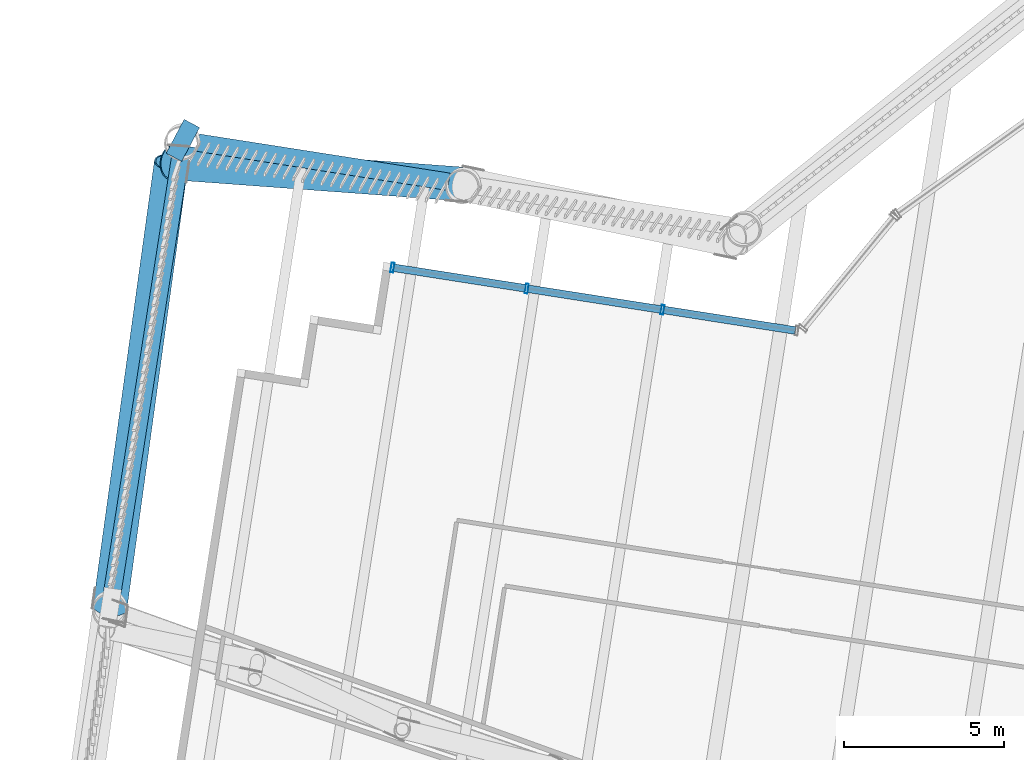
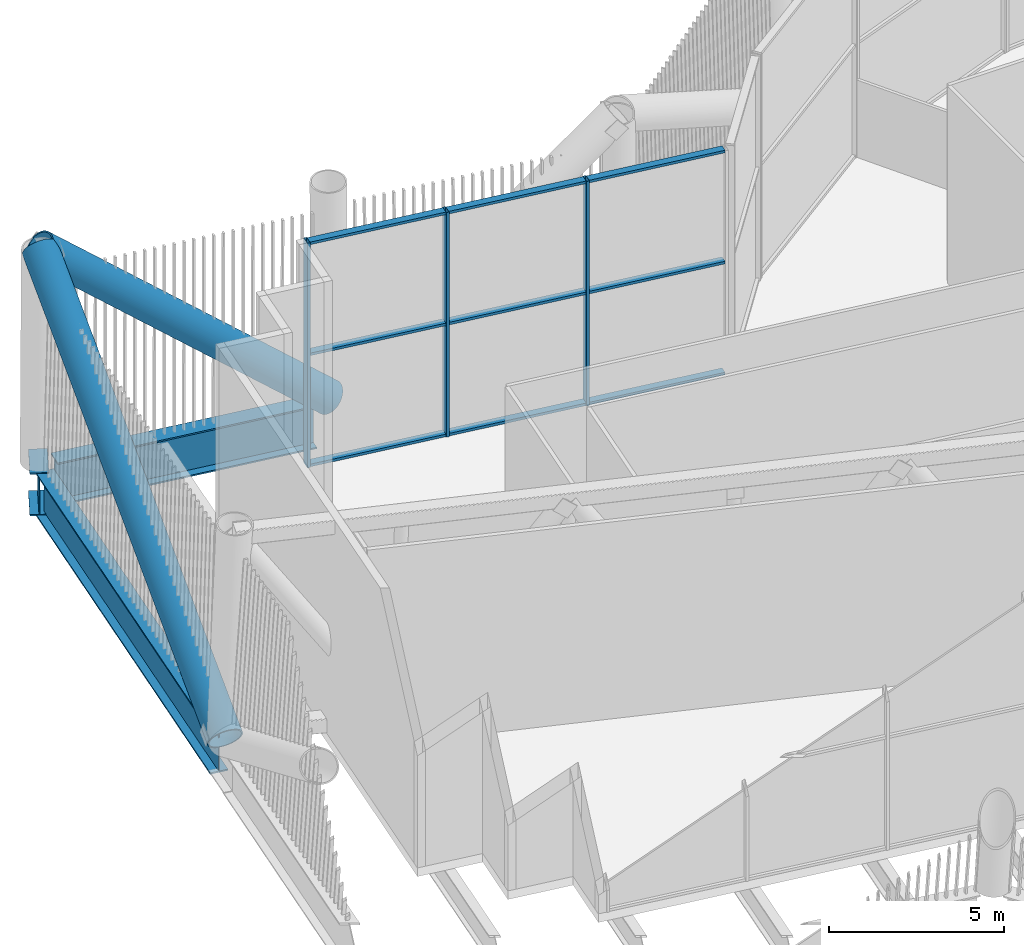
# One storey, part 21 of 55: 14 members, 3 beams, 1 element without a shape of its own.
"""IFC4 building model written with IfcOpenShell, lengths in metres."""

from ifc_helpers import new_model, si_unit, direction, frame, origin, origin_2d, place, context, subcontext, project, spatial, hollow_rectangle, hollow_circle, i_section, extrude, material, layer, layer_set, material_profile, profile_set, type_object, element, aggregate, save


model = new_model("IFC4")

# Units and contexts
model_context = context("Model", 3, precision=1e-05, world=origin(), true_north=direction((0.0, 1.0)))
body_context = subcontext(model_context, "Body", "Model", "MODEL_VIEW")
ifc_project = project(units=[si_unit("LENGTHUNIT", "METRE"), si_unit("AREAUNIT", "SQUARE_METRE"), si_unit("VOLUMEUNIT", "CUBIC_METRE"), si_unit("PLANEANGLEUNIT", "RADIAN"), si_unit("MASSUNIT", "GRAM", prefix="KILO")], contexts=[model_context])

# Site, building, storey
site_placement = place(None, origin())
site = spatial("IfcSite", under=ifc_project, at=site_placement, CompositionType="ELEMENT")
building_placement = place(site_placement, origin())
building = spatial("IfcBuilding", under=site, at=building_placement, Name="Tarsis Ring Headquarters", CompositionType="ELEMENT")
storey_placement = place(building_placement, frame((0.0, 0.0, 247.199951171875)))
storey = spatial("IfcBuildingStorey", under=building, at=storey_placement, Name="L58", CompositionType="ELEMENT", Elevation=247.199951171875)

# Curtain wall, members
ifc_material_1 = material(Name="Aluminium curtain wall", Category="aluminium")
ifc_layer = layer(ifc_material_1, 0.300048828125)
ifc_layer_set = layer_set([ifc_layer], Name="Curtain wall upper sky lobby")
curtain_wall_type = type_object("IfcCurtainWallType", Name="Curtain wall upper sky lobby", PredefinedType="NOTDEFINED", material=ifc_layer_set)
curtain_wall_placement = place(storey_placement, origin())
curtain_wall = element("IfcCurtainWall", 1, at=curtain_wall_placement, inside=storey, type_object=curtain_wall_type, Name="Curtain wall L58-31", PredefinedType="NOTDEFINED")
ifc_material_2 = material(Name="Aluminium mullion", Category="aluminium")
ifc_material_profile_1 = material_profile(ifc_material_2, hollow_rectangle(XDim=0.300048828125, YDim=0.090087890625, WallThickness=0.0048828125, at=origin_2d()), Name="RHS 300x90x5")
ifc_profile_set_1 = profile_set([ifc_material_profile_1], Name="Aluminium mullion")
member_type_1 = type_object("IfcMemberType", Name="Curtain wall mullion upper sky lobby RHS 300x90x5", PredefinedType="MULLION", material=ifc_profile_set_1)
member_1_placement = place(storey_placement, frame((-24.99072265625, 15.923583984375, 0.0), z_axis=(0.0, 0.0, 1.0), x_axis=(-0.154365535351, -0.988013806329, 0.0)))
member_1 = element("IfcMember", 2, at=member_1_placement, type_object=member_type_1, Name="CW-U mullion 2", PredefinedType="MULLION", context=body_context, shape_type="SweptSolid", body=[
    extrude(hollow_rectangle(XDim=0.300048828125, YDim=0.090087890625, WallThickness=0.0048828125, at=origin_2d()), origin(), (0.0, 0.0, 1.0), 7.840087890625),
])
member_2_placement = place(storey_placement, frame((-29.239501953125, 16.58740234375, 0.0), z_axis=(0.0, 0.0, 1.0), x_axis=(-0.154365535351, -0.988013806329, 0.0)))
member_2 = element("IfcMember", 3, at=member_2_placement, type_object=member_type_1, Name="CW-U mullion 3", PredefinedType="MULLION", context=body_context, shape_type="SweptSolid", body=[
    extrude(hollow_rectangle(XDim=0.300048828125, YDim=0.090087890625, WallThickness=0.0048828125, at=origin_2d()), origin(), (0.0, 0.0, 1.0), 7.840087890625),
])
member_3_placement = place(storey_placement, frame((-33.44384765625, 17.244384765625, 0.0), z_axis=(0.0, 0.0, 1.0), x_axis=(-0.154365535351, -0.988013806329, 0.0)))
member_3 = element("IfcMember", 4, at=member_3_placement, type_object=member_type_1, Name="CW-U mullion 4", PredefinedType="MULLION", context=body_context, shape_type="SweptSolid", body=[
    extrude(hollow_rectangle(XDim=0.300048828125, YDim=0.090087890625, WallThickness=0.0048828125, at=origin_2d()), origin(), (0.0, 0.0, 1.0), 7.840087890625),
])
ifc_material_3 = material(Name="Aluminium transom", Category="aluminium")
ifc_material_profile_2 = material_profile(ifc_material_3, hollow_rectangle(XDim=0.239990234375, YDim=0.090087890625, WallThickness=0.0048828125, at=origin_2d()), Name="RHS 240x90x5")
ifc_profile_set_2 = profile_set([ifc_material_profile_2], Name="Aluminium transom")
member_type_2 = type_object("IfcMemberType", Name="Curtain wall transom upper sky lobby RHS 240x90x5", PredefinedType="USERDEFINED", material=ifc_profile_set_2)
member_4_placement = place(storey_placement, frame((-20.83056640625, 15.273681640625, 0.045166015625), z_axis=(-0.988021529917, 0.154316092554, 0.0), x_axis=(-0.154316092554, -0.988021529917, 0.0)))
member_4 = element("IfcMember", 5, at=member_4_placement, type_object=member_type_2, Name="CW-U transom 1.1", ObjectType="TRANSOM", PredefinedType="USERDEFINED", context=body_context, shape_type="SweptSolid", body=[
    extrude(hollow_rectangle(XDim=0.239990234375, YDim=0.090087890625, WallThickness=0.0048828125, at=origin_2d()), origin(), (0.0, 0.0, 1.0), 4.16552734375),
])
member_5_placement = place(storey_placement, frame((-20.83056640625, 15.273681640625, 3.920166015625), z_axis=(-0.988021529917, 0.154316092554, 0.0), x_axis=(-0.154316092554, -0.988021529917, 0.0)))
member_5 = element("IfcMember", 6, at=member_5_placement, type_object=member_type_2, Name="CW-U transom 1.2", ObjectType="TRANSOM", PredefinedType="USERDEFINED", context=body_context, shape_type="SweptSolid", body=[
    extrude(hollow_rectangle(XDim=0.239990234375, YDim=0.090087890625, WallThickness=0.0048828125, at=origin_2d()), origin(), (0.0, 0.0, 1.0), 4.16552734375),
])
member_6_placement = place(storey_placement, frame((-20.83056640625, 15.273681640625, 7.795166015625), z_axis=(-0.988021529917, 0.154316092554, 0.0), x_axis=(-0.154316092554, -0.988021529917, 0.0)))
member_6 = element("IfcMember", 7, at=member_6_placement, type_object=member_type_2, Name="CW-U transom 1.3", ObjectType="TRANSOM", PredefinedType="USERDEFINED", context=body_context, shape_type="SweptSolid", body=[
    extrude(hollow_rectangle(XDim=0.239990234375, YDim=0.090087890625, WallThickness=0.0048828125, at=origin_2d()), origin(), (0.0, 0.0, 1.0), 4.16552734375),
])
member_7_placement = place(storey_placement, frame((-25.03515625, 15.930419921875, 0.045166015625), z_axis=(-0.988006229026, 0.154414025934, 0.0), x_axis=(-0.154414025934, -0.988006229026, 0.0)))
member_7 = element("IfcMember", 8, at=member_7_placement, type_object=member_type_2, Name="CW-U transom 2.1", ObjectType="TRANSOM", PredefinedType="USERDEFINED", context=body_context, shape_type="SweptSolid", body=[
    extrude(hollow_rectangle(XDim=0.239990234375, YDim=0.090087890625, WallThickness=0.0048828125, at=origin_2d()), origin(), (0.0, 0.0, 1.0), 4.21044921875),
])
member_8_placement = place(storey_placement, frame((-25.03515625, 15.930419921875, 3.920166015625), z_axis=(-0.988006229026, 0.154414025934, 0.0), x_axis=(-0.154414025934, -0.988006229026, 0.0)))
member_8 = element("IfcMember", 9, at=member_8_placement, type_object=member_type_2, Name="CW-U transom 2.2", ObjectType="TRANSOM", PredefinedType="USERDEFINED", context=body_context, shape_type="SweptSolid", body=[
    extrude(hollow_rectangle(XDim=0.239990234375, YDim=0.090087890625, WallThickness=0.0048828125, at=origin_2d()), origin(), (0.0, 0.0, 1.0), 4.21044921875),
])
member_9_placement = place(storey_placement, frame((-25.03515625, 15.930419921875, 7.795166015625), z_axis=(-0.988006229026, 0.154414025934, 0.0), x_axis=(-0.154414025934, -0.988006229026, 0.0)))
member_9 = element("IfcMember", 10, at=member_9_placement, type_object=member_type_2, Name="CW-U transom 2.3", ObjectType="TRANSOM", PredefinedType="USERDEFINED", context=body_context, shape_type="SweptSolid", body=[
    extrude(hollow_rectangle(XDim=0.239990234375, YDim=0.090087890625, WallThickness=0.0048828125, at=origin_2d()), origin(), (0.0, 0.0, 1.0), 4.21044921875),
])
member_10_placement = place(storey_placement, frame((-29.283935546875, 16.59423828125, 0.045166015625), z_axis=(-0.988011195634, 0.15438224413, 0.0), x_axis=(-0.15438224413, -0.988011195634, 0.0)))
member_10 = element("IfcMember", 11, at=member_10_placement, type_object=member_type_2, Name="CW-U transom 3.1", ObjectType="TRANSOM", PredefinedType="USERDEFINED", context=body_context, shape_type="SweptSolid", body=[
    extrude(hollow_rectangle(XDim=0.239990234375, YDim=0.090087890625, WallThickness=0.0048828125, at=origin_2d()), origin(), (0.0, 0.0, 1.0), 4.16552734375),
])
member_11_placement = place(storey_placement, frame((-29.283935546875, 16.59423828125, 3.920166015625), z_axis=(-0.988011195634, 0.15438224413, 0.0), x_axis=(-0.15438224413, -0.988011195634, 0.0)))
member_11 = element("IfcMember", 12, at=member_11_placement, type_object=member_type_2, Name="CW-U transom 3.2", ObjectType="TRANSOM", PredefinedType="USERDEFINED", context=body_context, shape_type="SweptSolid", body=[
    extrude(hollow_rectangle(XDim=0.239990234375, YDim=0.090087890625, WallThickness=0.0048828125, at=origin_2d()), origin(), (0.0, 0.0, 1.0), 4.16552734375),
])
member_12_placement = place(storey_placement, frame((-29.283935546875, 16.59423828125, 7.795166015625), z_axis=(-0.988011195634, 0.15438224413, 0.0), x_axis=(-0.15438224413, -0.988011195634, 0.0)))
member_12 = element("IfcMember", 13, at=member_12_placement, type_object=member_type_2, Name="CW-U transom 3.3", ObjectType="TRANSOM", PredefinedType="USERDEFINED", context=body_context, shape_type="SweptSolid", body=[
    extrude(hollow_rectangle(XDim=0.239990234375, YDim=0.090087890625, WallThickness=0.0048828125, at=origin_2d()), origin(), (0.0, 0.0, 1.0), 4.16552734375),
])
aggregate(curtain_wall, [member_1, member_2, member_3, member_4, member_5, member_6, member_7, member_8, member_9, member_10, member_11, member_12])

# Members
ifc_material_4 = material(Name="Structural steel S355", Category="steel")
ifc_material_profile_3 = material_profile(ifc_material_4, hollow_circle(Radius=0.533447265625, WallThickness=0.044921875, at=origin_2d()), Name="CHS 1067x45")
ifc_profile_set_3 = profile_set([ifc_material_profile_3], Name="Structural steel S355")
member_type_3 = type_object("IfcMemberType", Name="TD Belt truss diagonal CHS 1067x45", PredefinedType="BRACE", material=ifc_profile_set_3)
member_13_placement = place(storey_placement, frame((-31.206787109375, 19.855224609375, 0.0), z_axis=(-0.752034382032, 0.055241524478, 0.656804889001), x_axis=(-0.073258736685, -0.997312968681, 0.0)))
element("IfcMember", 14, at=member_13_placement, inside=storey, type_object=member_type_3, Name="Belt truss diagonal TD5", PredefinedType="BRACE", context=body_context, shape_type="SweptSolid", body=[
    extrude(hollow_circle(Radius=0.533447265625, WallThickness=0.044921875, at=origin_2d()), origin(), (0.0, 0.0, 1.0), 12.18017578125),
])
member_14_placement = place(storey_placement, frame((-42.287109375, 6.60693359375, 0.0), z_axis=(0.118759844139, 0.860895635983, 0.494726998823), x_axis=(-0.990618696479, 0.136655033523, 0.0)))
element("IfcMember", 15, at=member_14_placement, inside=storey, type_object=member_type_3, Name="Belt truss diagonal TD5", PredefinedType="BRACE", context=body_context, shape_type="SweptSolid", body=[
    extrude(hollow_circle(Radius=0.533447265625, WallThickness=0.044921875, at=origin_2d()), origin(), (0.0, 0.0, 1.0), 16.170654296875),
])

# Beams
ifc_material_profile_4 = material_profile(ifc_material_4, i_section(OverallWidth=0.550048828125, OverallDepth=1.5, WebThickness=0.030029296875, FlangeThickness=0.050048828125, at=origin_2d()), Name="PG 1500x550x30x50")
ifc_profile_set_4 = profile_set([ifc_material_profile_4], Name="Structural steel S355")
beam_type = type_object("IfcBeamType", Name="XG Ring girder PG 1500x550x30x50", PredefinedType="BEAM", material=ifc_profile_set_4)
beam_1_placement = place(storey_placement, frame((-39.722900390625, 21.756103515625, -0.721923828125), z_axis=(-0.468728765736, -0.883342144456, 0.0), x_axis=(0.883342144456, -0.468728765736, 0.0)))
element("IfcBeam", 16, at=beam_1_placement, inside=storey, type_object=beam_type, Name="Ring girder XG6", PredefinedType="BEAM", context=body_context, shape_type="SweptSolid", body=[
    extrude(i_section(OverallWidth=0.550048828125, OverallDepth=1.5, WebThickness=0.030029296875, FlangeThickness=0.050048828125, at=origin_2d()), origin(), (0.0, 0.0, 1.0), 1.199951171875),
])
beam_2_placement = place(storey_placement, frame((-31.68115234375, 19.929443359375, -0.75), z_axis=(-0.988016868455, 0.15434593499, 0.0), x_axis=(-0.15434593499, -0.988016868455, 0.0)))
element("IfcBeam", 17, at=beam_2_placement, inside=storey, type_object=beam_type, Name="Ring girder XG6", PredefinedType="BEAM", context=body_context, shape_type="SweptSolid", body=[
    extrude(i_section(OverallWidth=0.550048828125, OverallDepth=1.5, WebThickness=0.030029296875, FlangeThickness=0.050048828125, at=origin_2d()), origin(), (0.0, 0.0, 1.0), 7.942138671875),
])
beam_3_placement = place(storey_placement, frame((-40.076416015625, 20.755126953125, -0.75), z_axis=(-0.154369884706, -0.988013126783, 0.0), x_axis=(0.988013126783, -0.154369884706, 0.0)))
element("IfcBeam", 18, at=beam_3_placement, inside=storey, type_object=beam_type, Name="Ring girder XG6", PredefinedType="BEAM", context=body_context, shape_type="SweptSolid", body=[
    extrude(i_section(OverallWidth=0.550048828125, OverallDepth=1.5, WebThickness=0.030029296875, FlangeThickness=0.050048828125, at=origin_2d()), origin(), (0.0, 0.0, 1.0), 13.840087890625),
])

save(model, "model.ifc")
